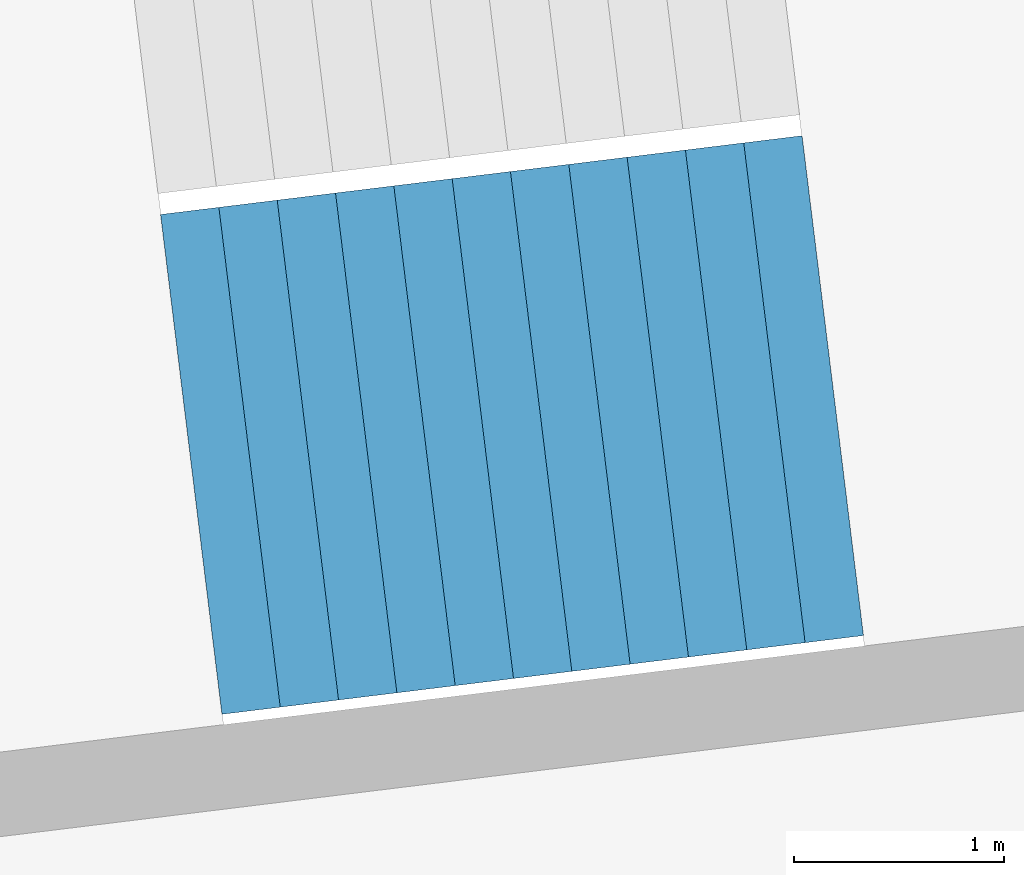
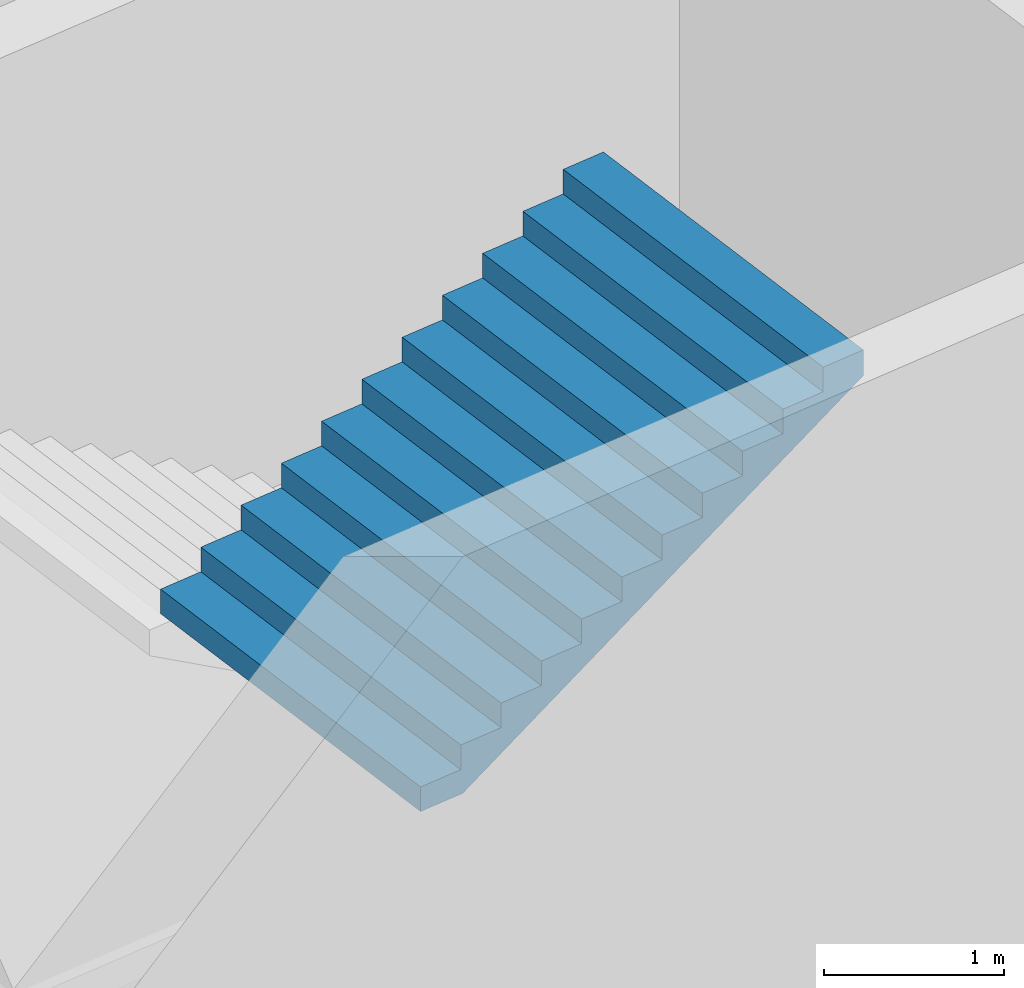
# One storey, part 23 of 74: 1 stair flight, 1 element without a shape of its own.
"""IFC4 building model written with IfcOpenShell, lengths in metres."""

from ifc_helpers import new_model, si_unit, direction, frame, origin, place, context, subcontext, project, spatial, triangles, material, type_object, element, aggregate, save


model = new_model("IFC4")

# Units and contexts
model_context = context("Model", 3, precision=1e-05, world=origin(), true_north=direction((0.0, 1.0)))
body_context = subcontext(model_context, "Body", "Model", "MODEL_VIEW")
ifc_project = project(units=[si_unit("LENGTHUNIT", "METRE"), si_unit("AREAUNIT", "SQUARE_METRE"), si_unit("VOLUMEUNIT", "CUBIC_METRE"), si_unit("PLANEANGLEUNIT", "RADIAN"), si_unit("MASSUNIT", "GRAM", prefix="KILO")], contexts=[model_context])

# Site, building, storey
site_placement = place(None, origin())
site = spatial("IfcSite", under=ifc_project, at=site_placement, CompositionType="ELEMENT")
building_placement = place(site_placement, origin())
building = spatial("IfcBuilding", under=site, at=building_placement, Name="Lantaw Convention Tower", CompositionType="ELEMENT")
storey_placement = place(building_placement, frame((0.0, 0.0, 6.5)))
storey = spatial("IfcBuildingStorey", under=building, at=storey_placement, Name="L01", CompositionType="ELEMENT", Elevation=6.5)

# Stair, stair flight
ifc_material = material(Name="Concrete C35/45", Category="concrete")
stair_type = type_object("IfcStairType", Name="Exit stair 2400 riser 166.67 in 4 flights", PredefinedType="HALF_TURN_STAIR", material=ifc_material)
stair_placement = place(storey_placement, origin())
stair = element("IfcStair", 1, at=stair_placement, inside=storey, type_object=stair_type, Name="Podium exit stair P10 L01", PredefinedType="HALF_TURN_STAIR")
stair_flight_type = type_object("IfcStairFlightType", Name="Stair flight 2400 riser 166.67", PredefinedType="STRAIGHT", material=ifc_material)
stair_flight_placement = place(storey_placement, frame((-37.91455078125, -5.914794921875, 6.0), z_axis=(0.0, 0.0, 1.0), x_axis=(0.992546151641, 0.121869343405, 0.0)))
stair_flight = element("IfcStairFlight", 2, at=stair_flight_placement, type_object=stair_flight_type, Name="P10 flight 4", NumberOfRisers=12, NumberOfTreads=11, PredefinedType="STRAIGHT", RiserHeight=0.166666667, TreadLength=0.28, context=body_context, shape_type="Tessellation", body=[
    triangles([(0.0, 1.199951171875, 0.0), (0.0, 1.199951171875, 0.166666667), (0.28, 1.199951171875, 0.0), (0.28, 1.199951171875, 0.166666667), (0.28, 1.199951171875, 0.333333334), (0.29307345806906726, 1.199951171875, 0.0), (0.29307345806906726, 1.199951171875, 0.333333334), (0.56, 1.199951171875, 0.15888484670522965), (0.56, 1.199951171875, 0.333333334), (0.56, 1.199951171875, 0.500000001), (0.8400000000000001, 1.199951171875, 0.3255515137052296), (0.8400000000000001, 1.199951171875, 0.500000001), (0.8400000000000001, 1.199951171875, 0.666666668), (1.12, 1.199951171875, 0.4922181807052296), (1.12, 1.199951171875, 0.666666668), (1.12, 1.199951171875, 0.833333335), (1.4000000000000001, 1.199951171875, 0.6588848477052296), (1.4000000000000001, 1.199951171875, 0.833333335), (1.4000000000000001, 1.199951171875, 1.000000002), (1.6800000000000002, 1.199951171875, 0.8255515147052296), (1.6800000000000002, 1.199951171875, 1.000000002), (1.6800000000000002, 1.199951171875, 1.166666669), (1.9600000000000002, 1.199951171875, 0.9922181817052296), (1.9600000000000002, 1.199951171875, 1.166666669), (1.9600000000000002, 1.199951171875, 1.333333336), (2.24, 1.199951171875, 1.1588848487052295), (2.24, 1.199951171875, 1.333333336), (2.24, 1.199951171875, 1.5000000029999998), (2.5200000000000005, 1.199951171875, 1.3255515157052296), (2.5200000000000005, 1.199951171875, 1.5000000029999998), (2.5200000000000005, 1.199951171875, 1.66666667), (2.8000000000000003, 1.199951171875, 1.4922181827052294), (2.8000000000000003, 1.199951171875, 1.66666667), (2.8000000000000003, 1.199951171875, 1.833333337), (3.08, 1.199951171875, 1.6588848497052293), (3.08, 1.199951171875, 1.833333337), (0.0, -1.199951171875, 0.0), (0.0, -1.199951171875, 0.166666667), (0.28, -1.199951171875, 0.0), (0.28, -1.199951171875, 0.166666667), (0.28, -1.199951171875, 0.333333334), (0.29307345806906726, -1.199951171875, 0.0), (0.29307345806906726, -1.199951171875, 0.333333334), (0.56, -1.199951171875, 0.15888484670522965), (0.56, -1.199951171875, 0.333333334), (0.56, -1.199951171875, 0.500000001), (0.8400000000000001, -1.199951171875, 0.3255515137052296), (0.8400000000000001, -1.199951171875, 0.500000001), (0.8400000000000001, -1.199951171875, 0.666666668), (1.12, -1.199951171875, 0.4922181807052296), (1.12, -1.199951171875, 0.666666668), (1.12, -1.199951171875, 0.833333335), (1.4000000000000001, -1.199951171875, 0.6588848477052296), (1.4000000000000001, -1.199951171875, 0.833333335), (1.4000000000000001, -1.199951171875, 1.000000002), (1.6800000000000002, -1.199951171875, 0.8255515147052296), (1.6800000000000002, -1.199951171875, 1.000000002), (1.6800000000000002, -1.199951171875, 1.166666669), (1.9600000000000002, -1.199951171875, 0.9922181817052296), (1.9600000000000002, -1.199951171875, 1.166666669), (1.9600000000000002, -1.199951171875, 1.333333336), (2.24, -1.199951171875, 1.1588848487052295), (2.24, -1.199951171875, 1.333333336), (2.24, -1.199951171875, 1.5000000029999998), (2.5200000000000005, -1.199951171875, 1.3255515157052296), (2.5200000000000005, -1.199951171875, 1.5000000029999998), (2.5200000000000005, -1.199951171875, 1.66666667), (2.8000000000000003, -1.199951171875, 1.4922181827052294), (2.8000000000000003, -1.199951171875, 1.66666667), (2.8000000000000003, -1.199951171875, 1.833333337), (3.08, -1.199951171875, 1.6588848497052293), (3.08, -1.199951171875, 1.833333337), (0.0, 0.239990234375, 0.166666667), (0.0, 0.239990234375, 0.0), (0.0, 0.1199951171875, 0.166666667), (0.0, 0.1199951171875, 0.0), (0.0, 0.0, 0.166666667), (0.0, 0.0, 0.0), (0.0, -0.1199951171875, 0.166666667), (0.0, -0.1199951171875, 0.0), (0.0, -0.239990234375, 0.166666667), (0.0, -0.239990234375, 0.0), (0.28, 0.239990234375, 0.333333334), (0.28, 0.239990234375, 0.166666667), (0.28, 0.1199951171875, 0.333333334), (0.28, 0.1199951171875, 0.166666667), (0.28, 0.0, 0.333333334), (0.28, 0.0, 0.166666667), (0.28, -0.1199951171875, 0.333333334), (0.28, -0.1199951171875, 0.166666667), (0.28, -0.239990234375, 0.333333334), (0.28, -0.239990234375, 0.166666667), (0.56, 0.239990234375, 0.500000001), (0.56, 0.239990234375, 0.333333334), (0.56, 0.1199951171875, 0.500000001), (0.56, 0.1199951171875, 0.333333334), (0.56, 0.0, 0.500000001), (0.56, 0.0, 0.333333334), (0.56, -0.1199951171875, 0.500000001), (0.56, -0.1199951171875, 0.333333334), (0.56, -0.239990234375, 0.500000001), (0.56, -0.239990234375, 0.333333334), (0.8400000000000001, 0.239990234375, 0.666666668), (0.8400000000000001, 0.239990234375, 0.500000001), (0.8400000000000001, 0.1199951171875, 0.666666668), (0.8400000000000001, 0.1199951171875, 0.500000001), (0.8400000000000001, 0.0, 0.666666668), (0.8400000000000001, 0.0, 0.500000001), (0.8400000000000001, -0.1199951171875, 0.666666668), (0.8400000000000001, -0.1199951171875, 0.500000001), (0.8400000000000001, -0.239990234375, 0.666666668), (0.8400000000000001, -0.239990234375, 0.500000001), (1.12, 0.239990234375, 0.833333335), (1.12, 0.239990234375, 0.666666668), (1.12, 0.1199951171875, 0.833333335), (1.12, 0.1199951171875, 0.666666668), (1.12, 0.0, 0.833333335), (1.12, 0.0, 0.666666668), (1.12, -0.1199951171875, 0.833333335), (1.12, -0.1199951171875, 0.666666668), (1.12, -0.239990234375, 0.833333335), (1.12, -0.239990234375, 0.666666668), (1.4000000000000001, 0.239990234375, 1.000000002), (1.4000000000000001, 0.239990234375, 0.833333335), (1.4000000000000001, 0.1199951171875, 1.000000002), (1.4000000000000001, 0.1199951171875, 0.833333335), (1.4000000000000001, 0.0, 1.000000002), (1.4000000000000001, 0.0, 0.833333335), (1.4000000000000001, -0.1199951171875, 1.000000002), (1.4000000000000001, -0.1199951171875, 0.833333335), (1.4000000000000001, -0.239990234375, 1.000000002), (1.4000000000000001, -0.239990234375, 0.833333335), (1.6800000000000002, 0.239990234375, 1.166666669), (1.6800000000000002, 0.239990234375, 1.000000002), (1.6800000000000002, 0.1199951171875, 1.166666669), (1.6800000000000002, 0.1199951171875, 1.000000002), (1.6800000000000002, 0.0, 1.166666669), (1.6800000000000002, 0.0, 1.000000002), (1.6800000000000002, -0.1199951171875, 1.166666669), (1.6800000000000002, -0.1199951171875, 1.000000002), (1.6800000000000002, -0.239990234375, 1.166666669), (1.6800000000000002, -0.239990234375, 1.000000002), (1.9600000000000002, 0.239990234375, 1.333333336), (1.9600000000000002, 0.239990234375, 1.166666669), (1.9600000000000002, 0.1199951171875, 1.333333336), (1.9600000000000002, 0.1199951171875, 1.166666669), (1.9600000000000002, 0.0, 1.333333336), (1.9600000000000002, 0.0, 1.166666669), (1.9600000000000002, -0.1199951171875, 1.333333336), (1.9600000000000002, -0.1199951171875, 1.166666669), (1.9600000000000002, -0.239990234375, 1.333333336), (1.9600000000000002, -0.239990234375, 1.166666669), (2.24, 0.239990234375, 1.5000000029999998), (2.24, 0.239990234375, 1.333333336), (2.24, 0.1199951171875, 1.5000000029999998), (2.24, 0.1199951171875, 1.333333336), (2.24, 0.0, 1.5000000029999998), (2.24, 0.0, 1.333333336), (2.24, -0.1199951171875, 1.5000000029999998), (2.24, -0.1199951171875, 1.333333336), (2.24, -0.239990234375, 1.5000000029999998), (2.24, -0.239990234375, 1.333333336), (2.5200000000000005, 0.239990234375, 1.66666667), (2.5200000000000005, 0.239990234375, 1.5000000029999998), (2.5200000000000005, 0.1199951171875, 1.66666667), (2.5200000000000005, 0.1199951171875, 1.5000000029999998), (2.5200000000000005, 0.0, 1.66666667), (2.5200000000000005, 0.0, 1.5000000029999998), (2.5200000000000005, -0.1199951171875, 1.66666667), (2.5200000000000005, -0.1199951171875, 1.5000000029999998), (2.5200000000000005, -0.239990234375, 1.66666667), (2.5200000000000005, -0.239990234375, 1.5000000029999998), (2.8000000000000003, 0.239990234375, 1.833333337), (2.8000000000000003, 0.239990234375, 1.66666667), (2.8000000000000003, 0.1199951171875, 1.833333337), (2.8000000000000003, 0.1199951171875, 1.66666667), (2.8000000000000003, 0.0, 1.833333337), (2.8000000000000003, 0.0, 1.66666667), (2.8000000000000003, -0.1199951171875, 1.833333337), (2.8000000000000003, -0.1199951171875, 1.66666667), (2.8000000000000003, -0.239990234375, 1.833333337), (2.8000000000000003, -0.239990234375, 1.66666667), (0.29307345806906726, 0.239990234375, 0.333333334), (0.29307345806906726, 0.1199951171875, 0.333333334), (0.29307345806906726, 0.0, 0.333333334), (0.29307345806906726, -0.1199951171875, 0.333333334), (0.29307345806906726, -0.239990234375, 0.333333334), (3.08, 0.239990234375, 1.833333337), (3.08, 0.1199951171875, 1.833333337), (3.08, 0.0, 1.833333337), (3.08, -0.1199951171875, 1.833333337), (3.08, -0.239990234375, 1.833333337), (3.08, 0.239990234375, 1.6588848497052293), (3.08, 0.1199951171875, 1.6588848497052293), (3.08, 0.0, 1.6588848497052293), (3.08, -0.1199951171875, 1.6588848497052293), (3.08, -0.239990234375, 1.6588848497052293), (2.8000000000000003, 0.239990234375, 1.4922181827052294), (2.8000000000000003, 0.1199951171875, 1.4922181827052294), (2.8000000000000003, 0.0, 1.4922181827052294), (2.8000000000000003, -0.1199951171875, 1.4922181827052294), (2.8000000000000003, -0.239990234375, 1.4922181827052294), (2.5200000000000005, 0.239990234375, 1.3255515157052296), (2.5200000000000005, 0.1199951171875, 1.3255515157052296), (2.5200000000000005, 0.0, 1.3255515157052296), (2.5200000000000005, -0.1199951171875, 1.3255515157052296), (2.5200000000000005, -0.239990234375, 1.3255515157052296), (2.24, 0.239990234375, 1.1588848487052295), (2.24, 0.1199951171875, 1.1588848487052295), (2.24, 0.0, 1.1588848487052295), (2.24, -0.1199951171875, 1.1588848487052295), (2.24, -0.239990234375, 1.1588848487052295), (1.9600000000000002, 0.239990234375, 0.9922181817052296), (1.9600000000000002, 0.1199951171875, 0.9922181817052296), (1.9600000000000002, 0.0, 0.9922181817052296), (1.9600000000000002, -0.1199951171875, 0.9922181817052296), (1.9600000000000002, -0.239990234375, 0.9922181817052296), (1.6800000000000002, 0.239990234375, 0.8255515147052296), (1.6800000000000002, 0.1199951171875, 0.8255515147052296), (1.6800000000000002, 0.0, 0.8255515147052296), (1.6800000000000002, -0.1199951171875, 0.8255515147052296), (1.6800000000000002, -0.239990234375, 0.8255515147052296), (1.4000000000000001, 0.239990234375, 0.6588848477052296), (1.4000000000000001, 0.1199951171875, 0.6588848477052296), (1.4000000000000001, 0.0, 0.6588848477052296), (1.4000000000000001, -0.1199951171875, 0.6588848477052296), (1.4000000000000001, -0.239990234375, 0.6588848477052296), (1.12, 0.239990234375, 0.4922181807052296), (1.12, 0.1199951171875, 0.4922181807052296), (1.12, 0.0, 0.4922181807052296), (1.12, -0.1199951171875, 0.4922181807052296), (1.12, -0.239990234375, 0.4922181807052296), (0.8400000000000001, 0.239990234375, 0.3255515137052296), (0.8400000000000001, 0.1199951171875, 0.3255515137052296), (0.8400000000000001, 0.0, 0.3255515137052296), (0.8400000000000001, -0.1199951171875, 0.3255515137052296), (0.8400000000000001, -0.239990234375, 0.3255515137052296), (0.56, 0.239990234375, 0.15888484670522965), (0.56, 0.1199951171875, 0.15888484670522965), (0.56, 0.0, 0.15888484670522965), (0.56, -0.1199951171875, 0.15888484670522965), (0.56, -0.239990234375, 0.15888484670522965), (0.29307345806906726, 0.239990234375, 0.0), (0.29307345806906726, 0.1199951171875, 0.0), (0.29307345806906726, 0.0, 0.0), (0.29307345806906726, -0.1199951171875, 0.0), (0.29307345806906726, -0.239990234375, 0.0), (0.28, 0.239990234375, 0.0), (0.28, 0.1199951171875, 0.0), (0.28, 0.0, 0.0), (0.28, -0.1199951171875, 0.0), (0.28, -0.239990234375, 0.0)], [[1, 4, 3], [1, 2, 4], [3, 4, 6], [4, 7, 6], [4, 5, 7], [6, 9, 8], [6, 7, 9], [8, 9, 11], [9, 12, 11], [9, 10, 12], [11, 12, 14], [12, 15, 14], [12, 13, 15], [14, 15, 17], [15, 18, 17], [15, 16, 18], [17, 18, 20], [18, 21, 20], [18, 19, 21], [20, 21, 23], [21, 24, 23], [21, 22, 24], [23, 24, 26], [24, 27, 26], [24, 25, 27], [26, 27, 29], [27, 30, 29], [27, 28, 30], [29, 30, 32], [30, 33, 32], [30, 31, 33], [32, 33, 35], [33, 36, 35], [33, 34, 36], [37, 39, 40], [37, 40, 38], [39, 42, 40], [40, 42, 43], [40, 43, 41], [42, 44, 45], [42, 45, 43], [44, 47, 45], [45, 47, 48], [45, 48, 46], [47, 50, 48], [48, 50, 51], [48, 51, 49], [50, 53, 51], [51, 53, 54], [51, 54, 52], [53, 56, 54], [54, 56, 57], [54, 57, 55], [56, 59, 57], [57, 59, 60], [57, 60, 58], [59, 62, 60], [60, 62, 63], [60, 63, 61], [62, 65, 63], [63, 65, 66], [63, 66, 64], [65, 68, 66], [66, 68, 69], [66, 69, 67], [68, 71, 69], [69, 71, 72], [69, 72, 70], [1, 73, 2], [1, 74, 73], [74, 75, 73], [74, 76, 75], [76, 77, 75], [76, 78, 77], [78, 79, 77], [78, 80, 79], [80, 81, 79], [80, 82, 81], [82, 38, 81], [82, 37, 38], [4, 83, 5], [4, 84, 83], [84, 85, 83], [84, 86, 85], [86, 87, 85], [86, 88, 87], [88, 89, 87], [88, 90, 89], [90, 91, 89], [90, 92, 91], [92, 41, 91], [92, 40, 41], [9, 93, 10], [9, 94, 93], [94, 95, 93], [94, 96, 95], [96, 97, 95], [96, 98, 97], [98, 99, 97], [98, 100, 99], [100, 101, 99], [100, 102, 101], [102, 46, 101], [102, 45, 46], [12, 103, 13], [12, 104, 103], [104, 105, 103], [104, 106, 105], [106, 107, 105], [106, 108, 107], [108, 109, 107], [108, 110, 109], [110, 111, 109], [110, 112, 111], [112, 49, 111], [112, 48, 49], [15, 113, 16], [15, 114, 113], [114, 115, 113], [114, 116, 115], [116, 117, 115], [116, 118, 117], [118, 119, 117], [118, 120, 119], [120, 121, 119], [120, 122, 121], [122, 52, 121], [122, 51, 52], [18, 123, 19], [18, 124, 123], [124, 125, 123], [124, 126, 125], [126, 127, 125], [126, 128, 127], [128, 129, 127], [128, 130, 129], [130, 131, 129], [130, 132, 131], [132, 55, 131], [132, 54, 55], [21, 133, 22], [21, 134, 133], [134, 135, 133], [134, 136, 135], [136, 137, 135], [136, 138, 137], [138, 139, 137], [138, 140, 139], [140, 141, 139], [140, 142, 141], [142, 58, 141], [142, 57, 58], [24, 143, 25], [24, 144, 143], [144, 145, 143], [144, 146, 145], [146, 147, 145], [146, 148, 147], [148, 149, 147], [148, 150, 149], [150, 151, 149], [150, 152, 151], [152, 61, 151], [152, 60, 61], [27, 153, 28], [27, 154, 153], [154, 155, 153], [154, 156, 155], [156, 157, 155], [156, 158, 157], [158, 159, 157], [158, 160, 159], [160, 161, 159], [160, 162, 161], [162, 64, 161], [162, 63, 64], [30, 163, 31], [30, 164, 163], [164, 165, 163], [164, 166, 165], [166, 167, 165], [166, 168, 167], [168, 169, 167], [168, 170, 169], [170, 171, 169], [170, 172, 171], [172, 67, 171], [172, 66, 67], [33, 173, 34], [33, 174, 173], [174, 175, 173], [174, 176, 175], [176, 177, 175], [176, 178, 177], [178, 179, 177], [178, 180, 179], [180, 181, 179], [180, 182, 181], [182, 70, 181], [182, 69, 70], [2, 84, 4], [2, 73, 84], [73, 86, 84], [73, 75, 86], [75, 88, 86], [75, 77, 88], [77, 90, 88], [77, 79, 90], [79, 92, 90], [79, 81, 92], [81, 40, 92], [81, 38, 40], [5, 183, 7], [5, 83, 183], [83, 184, 183], [83, 85, 184], [85, 185, 184], [85, 87, 185], [87, 186, 185], [87, 89, 186], [89, 187, 186], [89, 91, 187], [91, 43, 187], [91, 41, 43], [7, 94, 9], [7, 183, 94], [183, 96, 94], [183, 184, 96], [184, 98, 96], [184, 185, 98], [185, 100, 98], [185, 186, 100], [186, 102, 100], [186, 187, 102], [187, 45, 102], [187, 43, 45], [10, 104, 12], [10, 93, 104], [93, 106, 104], [93, 95, 106], [95, 108, 106], [95, 97, 108], [97, 110, 108], [97, 99, 110], [99, 112, 110], [99, 101, 112], [101, 48, 112], [101, 46, 48], [13, 114, 15], [13, 103, 114], [103, 116, 114], [103, 105, 116], [105, 118, 116], [105, 107, 118], [107, 120, 118], [107, 109, 120], [109, 122, 120], [109, 111, 122], [111, 51, 122], [111, 49, 51], [16, 124, 18], [16, 113, 124], [113, 126, 124], [113, 115, 126], [115, 128, 126], [115, 117, 128], [117, 130, 128], [117, 119, 130], [119, 132, 130], [119, 121, 132], [121, 54, 132], [121, 52, 54], [19, 134, 21], [19, 123, 134], [123, 136, 134], [123, 125, 136], [125, 138, 136], [125, 127, 138], [127, 140, 138], [127, 129, 140], [129, 142, 140], [129, 131, 142], [131, 57, 142], [131, 55, 57], [22, 144, 24], [22, 133, 144], [133, 146, 144], [133, 135, 146], [135, 148, 146], [135, 137, 148], [137, 150, 148], [137, 139, 150], [139, 152, 150], [139, 141, 152], [141, 60, 152], [141, 58, 60], [25, 154, 27], [25, 143, 154], [143, 156, 154], [143, 145, 156], [145, 158, 156], [145, 147, 158], [147, 160, 158], [147, 149, 160], [149, 162, 160], [149, 151, 162], [151, 63, 162], [151, 61, 63], [28, 164, 30], [28, 153, 164], [153, 166, 164], [153, 155, 166], [155, 168, 166], [155, 157, 168], [157, 170, 168], [157, 159, 170], [159, 172, 170], [159, 161, 172], [161, 66, 172], [161, 64, 66], [31, 174, 33], [31, 163, 174], [163, 176, 174], [163, 165, 176], [165, 178, 176], [165, 167, 178], [167, 180, 178], [167, 169, 180], [169, 182, 180], [169, 171, 182], [171, 69, 182], [171, 67, 69], [34, 188, 36], [34, 173, 188], [173, 189, 188], [173, 175, 189], [175, 190, 189], [175, 177, 190], [177, 191, 190], [177, 179, 191], [179, 192, 191], [179, 181, 192], [181, 72, 192], [181, 70, 72], [36, 193, 35], [36, 188, 193], [188, 194, 193], [188, 189, 194], [189, 195, 194], [189, 190, 195], [190, 196, 195], [190, 191, 196], [191, 197, 196], [191, 192, 197], [192, 71, 197], [192, 72, 71], [35, 198, 32], [35, 193, 198], [193, 199, 198], [193, 194, 199], [194, 200, 199], [194, 195, 200], [195, 201, 200], [195, 196, 201], [196, 202, 201], [196, 197, 202], [197, 68, 202], [197, 71, 68], [32, 203, 29], [32, 198, 203], [198, 204, 203], [198, 199, 204], [199, 205, 204], [199, 200, 205], [200, 206, 205], [200, 201, 206], [201, 207, 206], [201, 202, 207], [202, 65, 207], [202, 68, 65], [29, 208, 26], [29, 203, 208], [203, 209, 208], [203, 204, 209], [204, 210, 209], [204, 205, 210], [205, 211, 210], [205, 206, 211], [206, 212, 211], [206, 207, 212], [207, 62, 212], [207, 65, 62], [26, 213, 23], [26, 208, 213], [208, 214, 213], [208, 209, 214], [209, 215, 214], [209, 210, 215], [210, 216, 215], [210, 211, 216], [211, 217, 216], [211, 212, 217], [212, 59, 217], [212, 62, 59], [23, 218, 20], [23, 213, 218], [213, 219, 218], [213, 214, 219], [214, 220, 219], [214, 215, 220], [215, 221, 220], [215, 216, 221], [216, 222, 221], [216, 217, 222], [217, 56, 222], [217, 59, 56], [20, 223, 17], [20, 218, 223], [218, 224, 223], [218, 219, 224], [219, 225, 224], [219, 220, 225], [220, 226, 225], [220, 221, 226], [221, 227, 226], [221, 222, 227], [222, 53, 227], [222, 56, 53], [17, 228, 14], [17, 223, 228], [223, 229, 228], [223, 224, 229], [224, 230, 229], [224, 225, 230], [225, 231, 230], [225, 226, 231], [226, 232, 231], [226, 227, 232], [227, 50, 232], [227, 53, 50], [14, 233, 11], [14, 228, 233], [228, 234, 233], [228, 229, 234], [229, 235, 234], [229, 230, 235], [230, 236, 235], [230, 231, 236], [231, 237, 236], [231, 232, 237], [232, 47, 237], [232, 50, 47], [11, 238, 8], [11, 233, 238], [233, 239, 238], [233, 234, 239], [234, 240, 239], [234, 235, 240], [235, 241, 240], [235, 236, 241], [236, 242, 241], [236, 237, 242], [237, 44, 242], [237, 47, 44], [8, 243, 6], [8, 238, 243], [238, 244, 243], [238, 239, 244], [239, 245, 244], [239, 240, 245], [240, 246, 245], [240, 241, 246], [241, 247, 246], [241, 242, 247], [242, 42, 247], [242, 44, 42], [6, 248, 3], [6, 243, 248], [243, 249, 248], [243, 244, 249], [244, 250, 249], [244, 245, 250], [245, 251, 250], [245, 246, 251], [246, 252, 251], [246, 247, 252], [247, 39, 252], [247, 42, 39], [3, 74, 1], [3, 248, 74], [248, 76, 74], [248, 249, 76], [249, 78, 76], [249, 250, 78], [250, 80, 78], [250, 251, 80], [251, 82, 80], [251, 252, 82], [252, 37, 82], [252, 39, 37]], closed=True),
])
aggregate(stair, [stair_flight])

save(model, "model.ifc")
